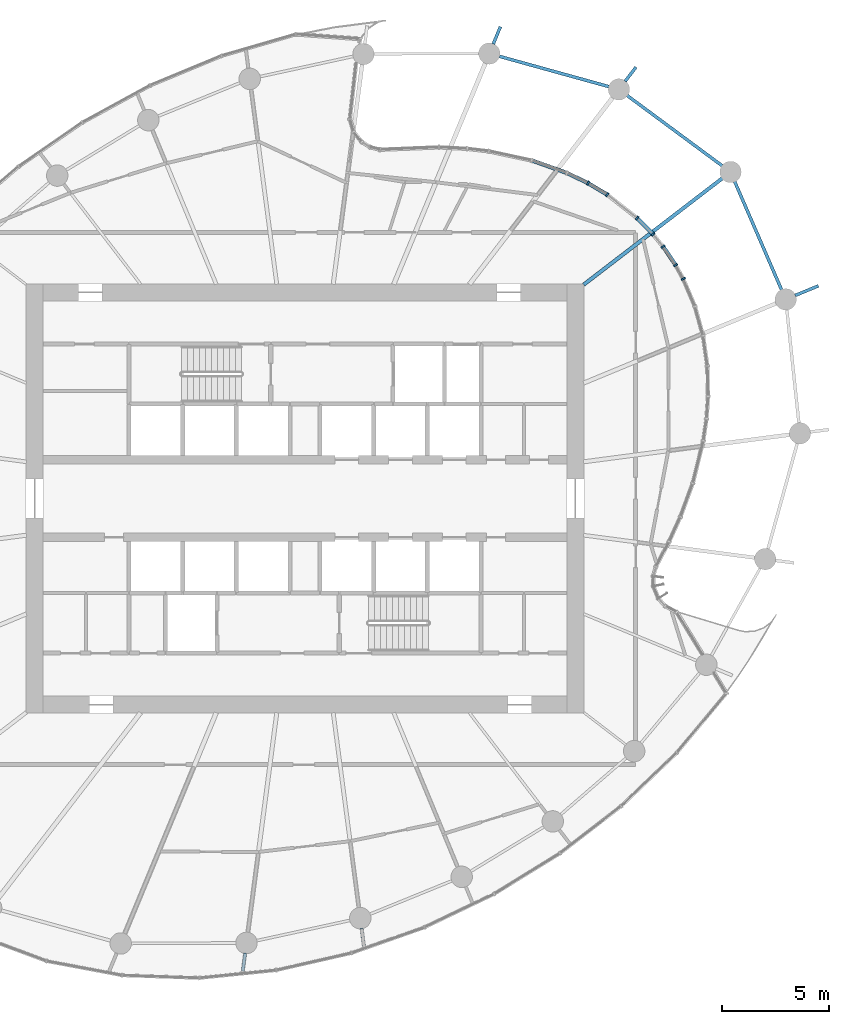
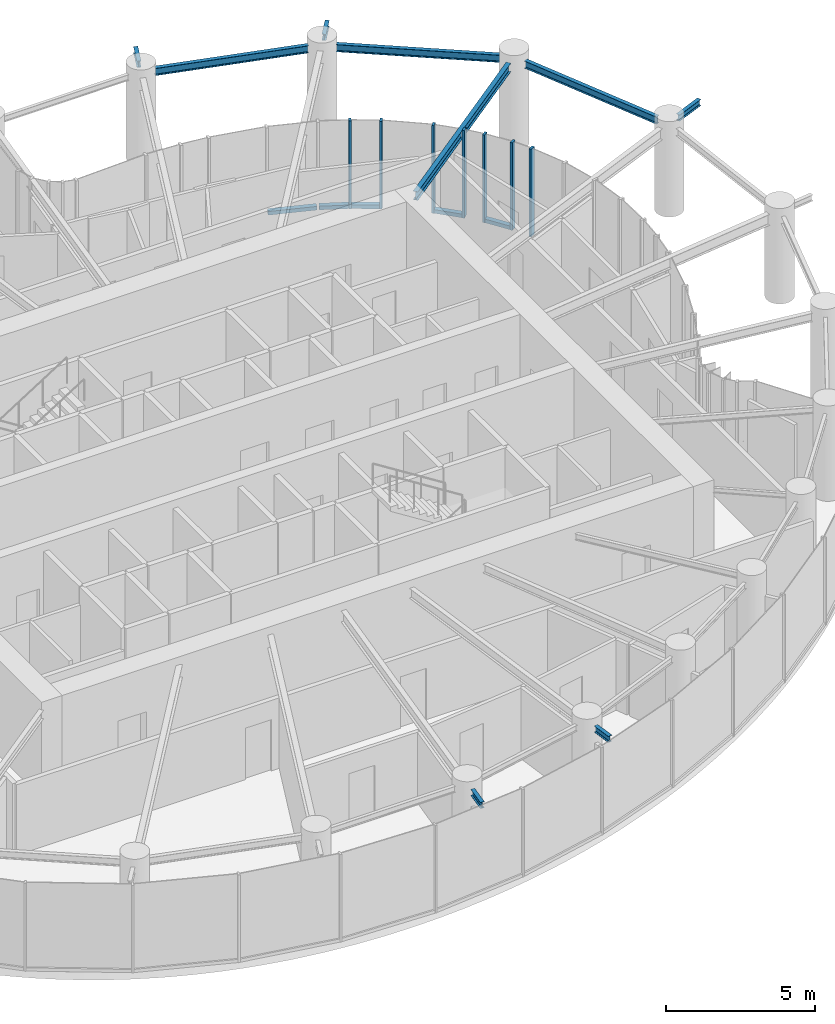
# One storey, part 7 of 19: 12 members, 9 beams, 2 elements without a shape of their own.
"""IFC4 building model written with IfcOpenShell, lengths in metres."""

from ifc_helpers import new_model, si_unit, direction, frame, origin, origin_2d, place, context, subcontext, project, spatial, rectangle, i_section, extrude, source, transform, mapped, material, layer, layer_set, material_profile, profile_set, type_object, element, aggregate, save


model = new_model("IFC4")

# Units and contexts
model_context = context("Model", 3, precision=1e-05, world=origin(), true_north=direction((0.0, 1.0)))
body_context = subcontext(model_context, "Body", "Model", "MODEL_VIEW")
ifc_project = project(units=[si_unit("LENGTHUNIT", "METRE"), si_unit("AREAUNIT", "SQUARE_METRE"), si_unit("VOLUMEUNIT", "CUBIC_METRE"), si_unit("PLANEANGLEUNIT", "RADIAN"), si_unit("MASSUNIT", "GRAM", prefix="KILO")], contexts=[model_context])

# Site, building, storey
site_placement = place(None, origin())
site = spatial("IfcSite", under=ifc_project, at=site_placement, CompositionType="ELEMENT")
building_placement = place(site_placement, origin())
building = spatial("IfcBuilding", under=site, at=building_placement, Name="Spindrift Exchange Tower", CompositionType="ELEMENT")
storey_placement = place(building_placement, frame((0.0, 0.0, 137.0)))
storey = spatial("IfcBuildingStorey", under=building, at=storey_placement, Name="L32", CompositionType="ELEMENT", Elevation=137.0)

# Beams
ifc_material_1 = material(Name="Steel Grade 300", Category="steel")
ifc_material_profile_1 = material_profile(ifc_material_1, i_section(OverallWidth=0.1708984375, OverallDepth=0.35205078125, WebThickness=0.0068359375, FlangeThickness=0.009765625, FilletRadius=0.013916015625, at=origin_2d()), Name="360UB44.7")
ifc_profile_set_1 = profile_set([ifc_material_profile_1], Name="Steel Grade 300")
beam_type_1 = type_object("IfcBeamType", Name="Floor Beam 360UB44.7 Steel Grade 300", PredefinedType="BEAM", material=ifc_profile_set_1)
shared_shape_1 = source(origin(), body_context, "Body", "SweptSolid", [
    extrude(i_section(OverallWidth=0.1708984375, OverallDepth=0.35205078125, WebThickness=0.0068359375, FlangeThickness=0.009765625, FilletRadius=0.013916015625, at=origin_2d()), origin(), (0.0, 0.0, 1.0), 8.143798828125),
])
beam_1_placement = place(storey_placement, frame((64.984130859375, 57.963134765625, 3.404052734375), z_axis=(0.793361179131, 0.608751213098, 0.0), x_axis=(-0.608751213098, 0.793361179131, 0.0)))
element("IfcBeam", 1, at=beam_1_placement, inside=storey, type_object=beam_type_1, Name="L32 radial beam R03A", PredefinedType="BEAM", context=body_context, shape_type="MappedRepresentation", body=[
    mapped(shared_shape_1, transform((0.0, 0.0, 0.0), scale=1.0)),
])
ifc_material_profile_2 = material_profile(ifc_material_1, i_section(OverallWidth=0.14892578125, OverallDepth=0.298095703125, WebThickness=0.005615234375, FlangeThickness=0.008056640625, FilletRadius=0.012939453125, at=origin_2d()), Name="310UB32.0")
ifc_profile_set_2 = profile_set([ifc_material_profile_2], Name="Steel Grade 300")
beam_type_2 = type_object("IfcBeamType", Name="Edge Beam 310UB32.0 Steel Grade 300", PredefinedType="SPANDREL", material=ifc_profile_set_2)
shared_shape_2 = source(origin(), body_context, "Body", "SweptSolid", [
    extrude(i_section(OverallWidth=0.14892578125, OverallDepth=0.298095703125, WebThickness=0.005615234375, FlangeThickness=0.008056640625, FilletRadius=0.012939453125, at=origin_2d()), origin(), (0.0, 0.0, 1.0), 5.508544921875),
])
beam_2_placement = place(storey_placement, frame((74.205810546875, 57.717529296875, 3.430908203125), z_axis=(-0.397414644433, 0.917639144975, 0.0), x_axis=(-0.917639144975, -0.397414644433, 0.0)))
element("IfcBeam", 2, at=beam_2_placement, inside=storey, type_object=beam_type_2, Name="L32 edge beam E02", PredefinedType="SPANDREL", context=body_context, shape_type="MappedRepresentation", body=[
    mapped(shared_shape_2, transform((0.0, 0.0, 0.0), scale=1.0)),
])
shared_shape_3 = source(origin(), body_context, "Body", "SweptSolid", [
    extrude(i_section(OverallWidth=0.14892578125, OverallDepth=0.298095703125, WebThickness=0.005615234375, FlangeThickness=0.008056640625, FilletRadius=0.012939453125, at=origin_2d()), origin(), (0.0, 0.0, 1.0), 5.509033203125),
])
beam_3_placement = place(storey_placement, frame((71.43994140625, 63.498291015625, 3.430908203125), z_axis=(-0.803991901791, 0.594640245741, 0.0), x_axis=(-0.594640245741, -0.803991901791, 0.0)))
element("IfcBeam", 3, at=beam_3_placement, inside=storey, type_object=beam_type_2, Name="L32 edge beam E03", PredefinedType="SPANDREL", context=body_context, shape_type="MappedRepresentation", body=[
    mapped(shared_shape_3, transform((0.0, 0.0, 0.0), scale=1.0)),
])
shared_shape_4 = source(origin(), body_context, "Body", "SweptSolid", [
    extrude(i_section(OverallWidth=0.14892578125, OverallDepth=0.298095703125, WebThickness=0.005615234375, FlangeThickness=0.008056640625, FilletRadius=0.012939453125, at=origin_2d()), origin(), (0.0, 0.0, 1.0), 5.30517578125),
])
beam_4_placement = place(storey_placement, frame((66.162353515625, 67.1875, 3.430908203125), z_axis=(-0.963757513624, 0.26677978734, 0.0), x_axis=(-0.26677978734, -0.963757513624, 0.0)))
element("IfcBeam", 4, at=beam_4_placement, inside=storey, type_object=beam_type_2, Name="L32 edge beam E04", PredefinedType="SPANDREL", context=body_context, shape_type="MappedRepresentation", body=[
    mapped(shared_shape_4, transform((0.0, 0.0, 0.0), scale=1.0)),
])
ifc_material_profile_3 = material_profile(ifc_material_1, i_section(OverallWidth=0.14599609375, OverallDepth=0.251953125, WebThickness=0.006103515625, FlangeThickness=0.008544921875, FilletRadius=0.011962890625, at=origin_2d()), Name="250UB31.4")
ifc_profile_set_3 = profile_set([ifc_material_profile_3], Name="Steel Grade 300")
beam_type_3 = type_object("IfcBeamType", Name="Cantilever Beam 250UB31.4 Steel Grade 300", PredefinedType="BEAM", material=ifc_profile_set_3)
shared_shape_5 = source(origin(), body_context, "Body", "SweptSolid", [
    extrude(i_section(OverallWidth=0.14599609375, OverallDepth=0.251953125, WebThickness=0.006103515625, FlangeThickness=0.008544921875, FilletRadius=0.011962890625, at=origin_2d()), origin(), (0.0, 0.0, 1.0), 1.16943359375),
])
beam_5_placement = place(storey_placement, frame((74.840087890625, 57.460693359375, 3.4541015625), z_axis=(0.923871782586, 0.382702141804, 0.0), x_axis=(-0.382702141804, 0.923871782586, 0.0)))
element("IfcBeam", 5, at=beam_5_placement, inside=storey, type_object=beam_type_3, Name="L32 cantilever beam R02T", PredefinedType="BEAM", context=body_context, shape_type="MappedRepresentation", body=[
    mapped(shared_shape_5, transform((0.0, 0.0, 0.0), scale=1.0)),
])
shared_shape_6 = source(origin(), body_context, "Body", "SweptSolid", [
    extrude(i_section(OverallWidth=0.14599609375, OverallDepth=0.251953125, WebThickness=0.006103515625, FlangeThickness=0.008544921875, FilletRadius=0.011962890625, at=origin_2d()), origin(), (0.0, 0.0, 1.0), 0.830078125),
])
beam_6_placement = place(storey_placement, frame((66.9169921875, 67.440185546875, 3.4541015625), z_axis=(0.608857528418, 0.793279591373, 0.0), x_axis=(-0.793279591373, 0.608857528418, 0.0)))
element("IfcBeam", 6, at=beam_6_placement, inside=storey, type_object=beam_type_3, Name="L32 cantilever beam R04T", PredefinedType="BEAM", context=body_context, shape_type="MappedRepresentation", body=[
    mapped(shared_shape_6, transform((0.0, 0.0, 0.0), scale=1.0)),
])
shared_shape_7 = source(origin(), body_context, "Body", "SweptSolid", [
    extrude(i_section(OverallWidth=0.14599609375, OverallDepth=0.251953125, WebThickness=0.006103515625, FlangeThickness=0.008544921875, FilletRadius=0.011962890625, at=origin_2d()), origin(), (0.0, 0.0, 1.0), 0.874755859375),
])
beam_7_placement = place(storey_placement, frame((60.770751953125, 69.17431640625, 3.4541015625), z_axis=(0.382672260774, 0.923884159857, 0.0), x_axis=(-0.923884159857, 0.382672260774, 0.0)))
element("IfcBeam", 7, at=beam_7_placement, inside=storey, type_object=beam_type_3, Name="L32 cantilever beam R05T", PredefinedType="BEAM", context=body_context, shape_type="MappedRepresentation", body=[
    mapped(shared_shape_7, transform((0.0, 0.0, 0.0), scale=1.0)),
])
shared_shape_8 = source(origin(), body_context, "Body", "SweptSolid", [
    extrude(i_section(OverallWidth=0.14599609375, OverallDepth=0.251953125, WebThickness=0.006103515625, FlangeThickness=0.008544921875, FilletRadius=0.011962890625, at=origin_2d()), origin(), (0.0, 0.0, 1.0), 0.84765625),
])
beam_8_placement = place(storey_placement, frame((49.21142578125, 26.81884765625, 3.4541015625), z_axis=(-0.130484317017, -0.991450373449, 0.0), x_axis=(0.991450373449, -0.130484317017, 0.0)))
element("IfcBeam", 8, at=beam_8_placement, inside=storey, type_object=beam_type_3, Name="L32 cantilever beam R18T", PredefinedType="BEAM", context=body_context, shape_type="MappedRepresentation", body=[
    mapped(shared_shape_8, transform((0.0, 0.0, 0.0), scale=1.0)),
])
shared_shape_9 = source(origin(), body_context, "Body", "SweptSolid", [
    extrude(i_section(OverallWidth=0.14599609375, OverallDepth=0.251953125, WebThickness=0.006103515625, FlangeThickness=0.008544921875, FilletRadius=0.011962890625, at=origin_2d()), origin(), (0.0, 0.0, 1.0), 0.78857421875),
])
beam_9_placement = place(storey_placement, frame((54.63671875, 27.972900390625, 3.4541015625), z_axis=(0.130358395014, -0.99146693785, 0.0), x_axis=(0.99146693785, 0.130358395014, 0.0)))
element("IfcBeam", 9, at=beam_9_placement, inside=storey, type_object=beam_type_3, Name="L32 cantilever beam R19T", PredefinedType="BEAM", context=body_context, shape_type="MappedRepresentation", body=[
    mapped(shared_shape_9, transform((0.0, 0.0, 0.0), scale=1.0)),
])

# Curtain wall, member
ifc_material_2 = material(Name="Fritted laminated glass with bronze frame", Category="glass")
ifc_layer = layer(ifc_material_2, 0.199951171875)
ifc_layer_set = layer_set([ifc_layer], Name="SKY GARDEN BRONZE GLAZED WALL")
curtain_wall_type = type_object("IfcCurtainWallType", Name="SKY GARDEN BRONZE GLAZED WALL", PredefinedType="NOTDEFINED", material=ifc_layer_set)
curtain_wall_1_placement = place(storey_placement, origin())
curtain_wall_1 = element("IfcCurtainWall", 10, at=curtain_wall_1_placement, inside=storey, type_object=curtain_wall_type, Name="L32 Sky Garden Bronze Glazed Wall run 9", PredefinedType="NOTDEFINED")
ifc_material_3 = material(Name="Bronze anodised aluminium", Category="aluminium")
ifc_material_profile_4 = material_profile(ifc_material_3, rectangle(XDim=0.179931640625, YDim=0.14990234375, at=origin_2d()), Name="SKY GARDEN BRONZE GLAZED WALL TRANSOM 180X150")
ifc_profile_set_4 = profile_set([ifc_material_profile_4], Name="Bronze anodised aluminium")
member_type_1 = type_object("IfcMemberType", Name="SKY GARDEN BRONZE GLAZED WALL TRANSOM 180X150", PredefinedType="USERDEFINED", material=ifc_profile_set_4)
shared_shape_10 = source(origin(), body_context, "Body", "SweptSolid", [
    extrude(rectangle(XDim=0.179931640625, YDim=0.14990234375, at=origin_2d()), origin(), (0.0, 0.0, 1.0), 0.955810546875),
])
member_1_placement = place(storey_placement, frame((66.041015625, 62.183837890625, 0.074951171875), z_axis=(-0.858572942588, 0.512691429864, 0.0), x_axis=(-0.512691429864, -0.858572942588, 0.0)))
member_1 = element("IfcMember", 11, at=member_1_placement, type_object=member_type_1, Name="L32 transom CW-G.49", ObjectType="TRANSOM", PredefinedType="USERDEFINED", context=body_context, shape_type="MappedRepresentation", body=[
    mapped(shared_shape_10, transform((0.0, 0.0, 0.0), scale=1.0)),
])

curtain_wall_2_placement = place(storey_placement, origin())
curtain_wall_2 = element("IfcCurtainWall", 12, at=curtain_wall_2_placement, inside=storey, type_object=curtain_wall_type, Name="L32 Sky Garden Bronze Glazed Wall run 8", PredefinedType="NOTDEFINED")
shared_shape_11 = source(origin(), body_context, "Body", "SweptSolid", [
    extrude(rectangle(XDim=0.179931640625, YDim=0.14990234375, at=origin_2d()), origin(), (0.0, 0.0, 1.0), 0.954833984375),
])
member_2_placement = place(storey_placement, frame((69.244140625, 58.912109375, 0.074951171875), z_axis=(-0.561701470107, 0.827339989653, 0.0), x_axis=(-0.827339989653, -0.561701470107, 0.0)))
member_2 = element("IfcMember", 13, at=member_2_placement, type_object=member_type_1, Name="L32 transom CW-G.45", ObjectType="TRANSOM", PredefinedType="USERDEFINED", context=body_context, shape_type="MappedRepresentation", body=[
    mapped(shared_shape_11, transform((0.0, 0.0, 0.0), scale=1.0)),
])

# Member
shared_shape_12 = source(origin(), body_context, "Body", "SweptSolid", [
    extrude(rectangle(XDim=0.179931640625, YDim=0.14990234375, at=origin_2d()), origin(), (0.0, 0.0, 1.0), 0.980224609375),
])
member_3_placement = place(storey_placement, frame((68.1884765625, 60.337890625, 0.074951171875), z_axis=(-0.698460799476, 0.715648315582, 0.0), x_axis=(-0.715648315582, -0.698460799476, 0.0)))
member_3 = element("IfcMember", 14, at=member_3_placement, type_object=member_type_1, Name="L32 transom CW-G.47", ObjectType="TRANSOM", PredefinedType="USERDEFINED", context=body_context, shape_type="MappedRepresentation", body=[
    mapped(shared_shape_12, transform((0.0, 0.0, 0.0), scale=1.0)),
])

shared_shape_13 = source(origin(), body_context, "Body", "SweptSolid", [
    extrude(rectangle(XDim=0.179931640625, YDim=0.14990234375, at=origin_2d()), origin(), (0.0, 0.0, 1.0), 1.662353515625),
])
member_4_placement = place(storey_placement, frame((64.17236328125, 63.179931640625, 0.074951171875), z_axis=(-0.941961004859, 0.335722303883, 0.0), x_axis=(-0.335722303883, -0.941961004859, 0.0)))
member_4 = element("IfcMember", 15, at=member_4_placement, type_object=member_type_1, Name="L32 transom CW-G.51", ObjectType="TRANSOM", PredefinedType="USERDEFINED", context=body_context, shape_type="MappedRepresentation", body=[
    mapped(shared_shape_13, transform((0.0, 0.0, 0.0), scale=1.0)),
])

ifc_material_profile_5 = material_profile(ifc_material_3, rectangle(XDim=0.0849609375, YDim=0.199951171875, at=origin_2d()), Name="SKY GARDEN BRONZE GLAZED WALL MULLION 85X200")
ifc_profile_set_5 = profile_set([ifc_material_profile_5], Name="Bronze anodised aluminium")
member_type_2 = type_object("IfcMemberType", Name="SKY GARDEN BRONZE GLAZED WALL MULLION 85X200", PredefinedType="MULLION", material=ifc_profile_set_5)
shared_shape_14 = source(origin(), body_context, "Body", "SweptSolid", [
    extrude(rectangle(XDim=0.0849609375, YDim=0.199951171875, at=origin_2d()), origin(), (0.0, 0.0, 1.0), 3.580078125),
])
member_5_placement = place(storey_placement, frame((69.626220703125, 58.23388671875, 0.0), z_axis=(0.0, 0.0, 1.0), x_axis=(-0.440045015907, 0.89797571458, 0.0)))
member_5 = element("IfcMember", 16, at=member_5_placement, type_object=member_type_2, Name="L32 mullion CW-G.44", PredefinedType="MULLION", context=body_context, shape_type="MappedRepresentation", body=[
    mapped(shared_shape_14, transform((0.0, 0.0, 0.0), scale=1.0)),
])

member_6_placement = place(storey_placement, frame((69.26806640625, 58.876953125, 0.0), z_axis=(0.0, 0.0, 1.0), x_axis=(-0.524702399733, 0.851285728598, 0.0)))
member_6 = element("IfcMember", 17, at=member_6_placement, type_object=member_type_2, Name="L32 mullion CW-G.45", PredefinedType="MULLION", context=body_context, shape_type="MappedRepresentation", body=[
    mapped(shared_shape_14, transform((0.0, 0.0, 0.0), scale=1.0)),
])

aggregate(curtain_wall_2, [member_5, member_6, member_2])

member_7_placement = place(storey_placement, frame((68.683837890625, 59.7373046875, 0.0), z_axis=(0.0, 0.0, 1.0), x_axis=(-0.597790061164, 0.801652694609, 0.0)))
member_7 = element("IfcMember", 18, at=member_7_placement, type_object=member_type_2, Name="L32 mullion CW-G.46", PredefinedType="MULLION", context=body_context, shape_type="MappedRepresentation", body=[
    mapped(shared_shape_14, transform((0.0, 0.0, 0.0), scale=1.0)),
])

member_8_placement = place(storey_placement, frame((68.21826171875, 60.307373046875, 0.0), z_axis=(0.0, 0.0, 1.0), x_axis=(-0.666172594963, 0.745797609087, 0.0)))
member_8 = element("IfcMember", 19, at=member_8_placement, type_object=member_type_2, Name="L32 mullion CW-G.47", PredefinedType="MULLION", context=body_context, shape_type="MappedRepresentation", body=[
    mapped(shared_shape_14, transform((0.0, 0.0, 0.0), scale=1.0)),
])

member_9_placement = place(storey_placement, frame((67.47412109375, 61.06982421875, 0.0), z_axis=(0.0, 0.0, 1.0), x_axis=(-0.744738513178, 0.66735638679, 0.0)))
member_9 = element("IfcMember", 20, at=member_9_placement, type_object=member_type_2, Name="L32 mullion CW-G.48", PredefinedType="MULLION", context=body_context, shape_type="MappedRepresentation", body=[
    mapped(shared_shape_14, transform((0.0, 0.0, 0.0), scale=1.0)),
])

member_10_placement = place(storey_placement, frame((66.07763671875, 62.162109375, 0.0), z_axis=(0.0, 0.0, 1.0), x_axis=(-0.824759739719, 0.5654833081, 0.0)))
member_10 = element("IfcMember", 21, at=member_10_placement, type_object=member_type_2, Name="L32 mullion CW-G.49", PredefinedType="MULLION", context=body_context, shape_type="MappedRepresentation", body=[
    mapped(shared_shape_14, transform((0.0, 0.0, 0.0), scale=1.0)),
])

member_11_placement = place(storey_placement, frame((65.183837890625, 62.69580078125, 0.0), z_axis=(0.0, 0.0, 1.0), x_axis=(-0.880250275923, 0.474509696147, 0.0)))
member_11 = element("IfcMember", 22, at=member_11_placement, type_object=member_type_2, Name="L32 mullion CW-G.50", PredefinedType="MULLION", context=body_context, shape_type="MappedRepresentation", body=[
    mapped(shared_shape_14, transform((0.0, 0.0, 0.0), scale=1.0)),
])

shared_shape_15 = source(origin(), body_context, "Body", "SweptSolid", [
    extrude(rectangle(XDim=0.179931640625, YDim=0.14990234375, at=origin_2d()), origin(), (0.0, 0.0, 1.0), 0.99462890625),
])
member_12_placement = place(storey_placement, frame((65.145751953125, 62.714111328125, 0.074951171875), z_axis=(-0.90019340128, 0.435490344661, 0.0), x_axis=(-0.435490344661, -0.90019340128, 0.0)))
member_12 = element("IfcMember", 23, at=member_12_placement, type_object=member_type_1, Name="L32 transom CW-G.50", ObjectType="TRANSOM", PredefinedType="USERDEFINED", context=body_context, shape_type="MappedRepresentation", body=[
    mapped(shared_shape_15, transform((0.0, 0.0, 0.0), scale=1.0)),
])

aggregate(curtain_wall_1, [member_7, member_8, member_3, member_9, member_10, member_1, member_11, member_12, member_4])

save(model, "model.ifc")
